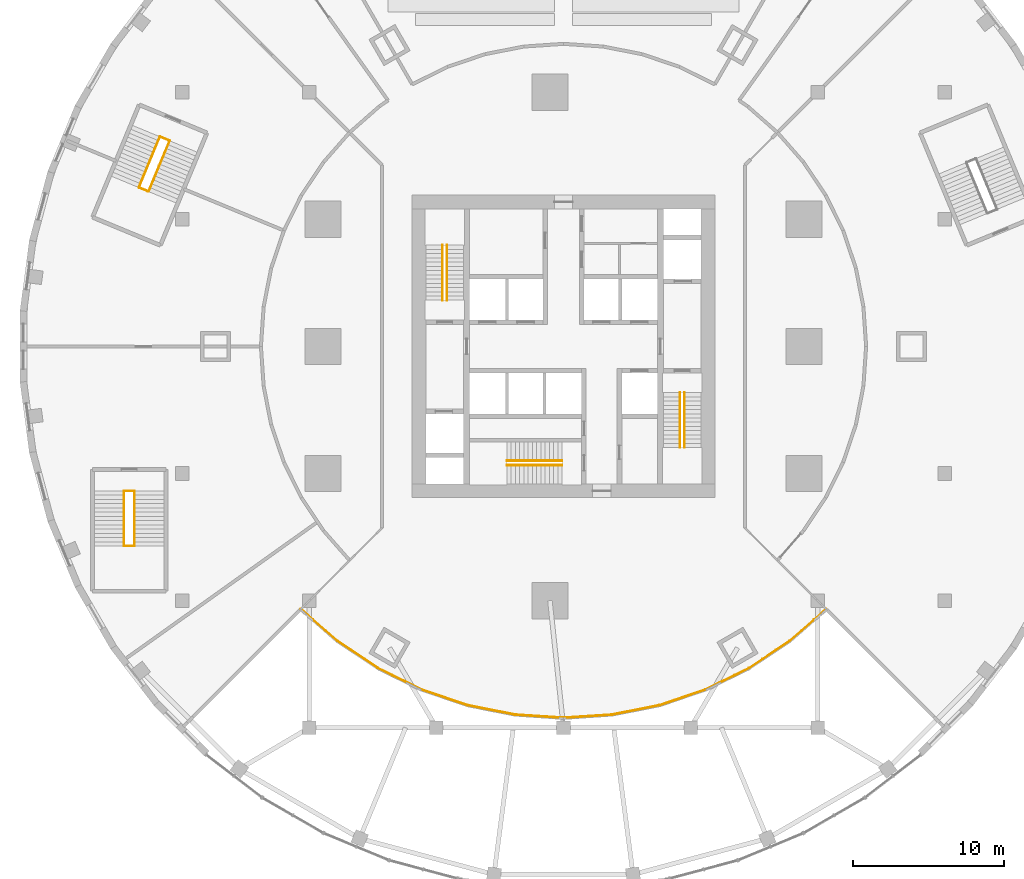
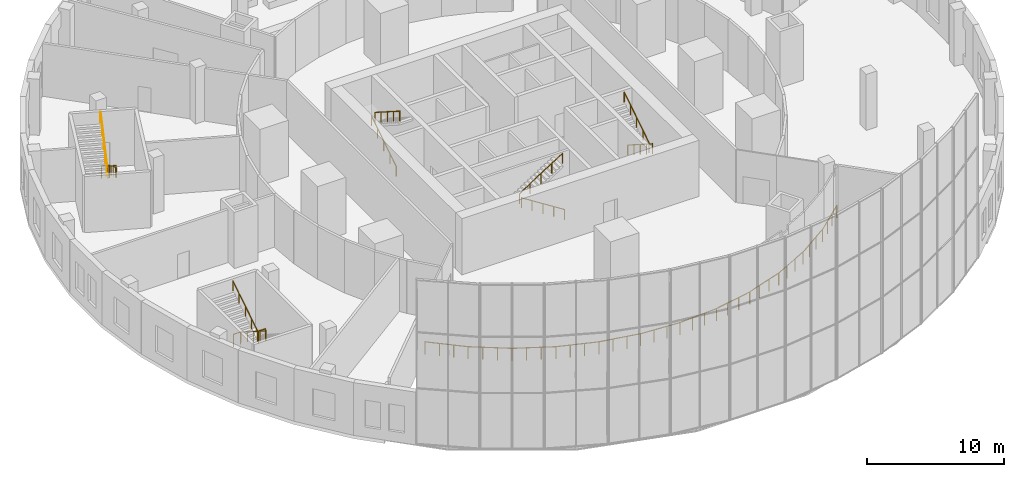
# One storey, part 14 of 17: 26 railings.
"""IFC4 building model written with IfcOpenShell, lengths in metres."""

from ifc_helpers import new_model, si_unit, direction, frame, origin, origin_2d, place, context, subcontext, project, spatial, circle, extrude, material, type_object, element, save


model = new_model("IFC4")

# Units and contexts
model_context = context("Model", 3, precision=1e-05, world=origin(), true_north=direction((0.0, 1.0)))
body_context = subcontext(model_context, "Body", "Model", "MODEL_VIEW")
ifc_project = project(units=[si_unit("LENGTHUNIT", "METRE"), si_unit("AREAUNIT", "SQUARE_METRE"), si_unit("VOLUMEUNIT", "CUBIC_METRE"), si_unit("PLANEANGLEUNIT", "RADIAN"), si_unit("MASSUNIT", "GRAM", prefix="KILO")], contexts=[model_context])

# Site, building, storey
site_placement = place(None, origin())
site = spatial("IfcSite", under=ifc_project, at=site_placement, CompositionType="ELEMENT")
building_placement = place(site_placement, origin())
building = spatial("IfcBuilding", under=site, at=building_placement, Name="Golbaran Civic Tower", CompositionType="ELEMENT")
storey_placement = place(building_placement, frame((0.0, 0.0, 6.0)))
storey = spatial("IfcBuildingStorey", under=building, at=storey_placement, Name="L01", CompositionType="ELEMENT", Elevation=6.0)

# Railings
ifc_material_1 = material(Name="Laminated glass, bronze rail", Category="glass")
railing_type_1 = type_object("IfcRailingType", Name="ATRIUM BALUSTRADE 1100", PredefinedType="GUARDRAIL", material=ifc_material_1)
railing_1_placement = place(storey_placement, frame((-17.359375, -17.359375, 0.0)))
element("IfcRailing", 1, at=railing_1_placement, inside=storey, type_object=railing_type_1, Name="Atrium balustrade L01 1", PredefinedType="GUARDRAIL", context=body_context, shape_type="SweptSolid", body=[
    extrude(circle(Radius=0.02392578125, at=origin_2d()), frame((0.0, 0.0, 1.076171875), z_axis=(0.751817957378, -0.659370729532, 0.0), x_axis=(0.659370729532, 0.751817957378, 0.0)), (0.0, 0.0, 1.0), 3.211181640625),
    extrude(circle(Radius=0.02099609375, at=origin_2d()), origin(), (0.0, 0.0, 1.0), 1.052001953125),
    extrude(circle(Radius=0.02099609375, at=origin_2d()), frame((0.8046875, -0.705810546875, 0.0)), (0.0, 0.0, 1.0), 1.052001953125),
    extrude(circle(Radius=0.02099609375, at=origin_2d()), frame((1.609619140625, -1.41162109375, 0.0)), (0.0, 0.0, 1.0), 1.052001953125),
    extrude(circle(Radius=0.02099609375, at=origin_2d()), frame((2.414306640625, -2.117431640625, 0.0)), (0.0, 0.0, 1.0), 1.052001953125),
])
railing_2_placement = place(storey_placement, frame((-14.945068359375, -19.476806640625, 0.0)))
element("IfcRailing", 2, at=railing_2_placement, inside=storey, type_object=railing_type_1, Name="Atrium balustrade L01 2", PredefinedType="GUARDRAIL", context=body_context, shape_type="SweptSolid", body=[
    extrude(circle(Radius=0.02392578125, at=origin_2d()), frame((0.0, 0.0, 1.076171875), z_axis=(0.831465038594, -0.555577077997, 0.0), x_axis=(0.555577077997, 0.831465038594, 0.0)), (0.0, 0.0, 1.0), 3.21142578125),
    extrude(circle(Radius=0.02099609375, at=origin_2d()), origin(), (0.0, 0.0, 1.0), 1.052001953125),
    extrude(circle(Radius=0.02099609375, at=origin_2d()), frame((0.89013671875, -0.5947265625, 0.0)), (0.0, 0.0, 1.0), 1.052001953125),
    extrude(circle(Radius=0.02099609375, at=origin_2d()), frame((1.780029296875, -1.189453125, 0.0)), (0.0, 0.0, 1.0), 1.052001953125),
    extrude(circle(Radius=0.02099609375, at=origin_2d()), frame((2.670166015625, -1.7841796875, 0.0)), (0.0, 0.0, 1.0), 1.052001953125),
])
railing_3_placement = place(storey_placement, frame((-12.27490234375, -21.260986328125, 0.0)))
element("IfcRailing", 3, at=railing_3_placement, inside=storey, type_object=railing_type_1, Name="Atrium balustrade L01 3", PredefinedType="GUARDRAIL", context=body_context, shape_type="SweptSolid", body=[
    extrude(circle(Radius=0.02392578125, at=origin_2d()), frame((0.0, 0.0, 1.076171875), z_axis=(0.896891939114, -0.442249759246, 0.0), x_axis=(0.442249759246, 0.896891939114, 0.0)), (0.0, 0.0, 1.0), 3.211181640625),
    extrude(circle(Radius=0.02099609375, at=origin_2d()), origin(), (0.0, 0.0, 1.0), 1.052001953125),
    extrude(circle(Radius=0.02099609375, at=origin_2d()), frame((0.9599609375, -0.473388671875, 0.0)), (0.0, 0.0, 1.0), 1.052001953125),
    extrude(circle(Radius=0.02099609375, at=origin_2d()), frame((1.920166015625, -0.94677734375, 0.0)), (0.0, 0.0, 1.0), 1.052001953125),
    extrude(circle(Radius=0.02099609375, at=origin_2d()), frame((2.880126953125, -1.420166015625, 0.0)), (0.0, 0.0, 1.0), 1.052001953125),
])
railing_4_placement = place(storey_placement, frame((-9.394775390625, -22.68115234375, 0.0)))
element("IfcRailing", 4, at=railing_4_placement, inside=storey, type_object=railing_type_1, Name="Atrium balustrade L01 4", PredefinedType="GUARDRAIL", context=body_context, shape_type="SweptSolid", body=[
    extrude(circle(Radius=0.02392578125, at=origin_2d()), frame((0.0, 0.0, 1.076171875), z_axis=(0.946927879989, -0.321446092059, 0.0), x_axis=(0.321446092059, 0.946927879989, 0.0)), (0.0, 0.0, 1.0), 3.211181640625),
    extrude(circle(Radius=0.02099609375, at=origin_2d()), origin(), (0.0, 0.0, 1.0), 1.052001953125),
    extrude(circle(Radius=0.02099609375, at=origin_2d()), frame((1.013671875, -0.343994140625, 0.0)), (0.0, 0.0, 1.0), 1.052001953125),
    extrude(circle(Radius=0.02099609375, at=origin_2d()), frame((2.027099609375, -0.688232421875, 0.0)), (0.0, 0.0, 1.0), 1.052001953125),
    extrude(circle(Radius=0.02099609375, at=origin_2d()), frame((3.040771484375, -1.0322265625, 0.0)), (0.0, 0.0, 1.0), 1.052001953125),
])
railing_5_placement = place(storey_placement, frame((-6.35400390625, -23.71337890625, 0.0)))
element("IfcRailing", 5, at=railing_5_placement, inside=storey, type_object=railing_type_1, Name="Atrium balustrade L01 5", PredefinedType="GUARDRAIL", context=body_context, shape_type="SweptSolid", body=[
    extrude(circle(Radius=0.02392578125, at=origin_2d()), frame((0.0, 0.0, 1.076171875), z_axis=(0.9807731825, -0.19515113243, 0.0), x_axis=(0.19515113243, 0.9807731825, 0.0)), (0.0, 0.0, 1.0), 3.21142578125),
    extrude(circle(Radius=0.02099609375, at=origin_2d()), origin(), (0.0, 0.0, 1.0), 1.052001953125),
    extrude(circle(Radius=0.02099609375, at=origin_2d()), frame((1.0498046875, -0.208984375, 0.0)), (0.0, 0.0, 1.0), 1.052001953125),
    extrude(circle(Radius=0.02099609375, at=origin_2d()), frame((2.099853515625, -0.417724609375, 0.0)), (0.0, 0.0, 1.0), 1.052001953125),
    extrude(circle(Radius=0.02099609375, at=origin_2d()), frame((3.149658203125, -0.626708984375, 0.0)), (0.0, 0.0, 1.0), 1.052001953125),
])
railing_6_placement = place(storey_placement, frame((-3.204345703125, -24.340087890625, 0.0)))
element("IfcRailing", 6, at=railing_6_placement, inside=storey, type_object=railing_type_1, Name="Atrium balustrade L01 6", PredefinedType="GUARDRAIL", context=body_context, shape_type="SweptSolid", body=[
    extrude(circle(Radius=0.02392578125, at=origin_2d()), frame((0.0, 0.0, 1.076171875), z_axis=(0.997860202938, -0.065383601869, 0.0), x_axis=(0.065383601869, 0.997860202938, 0.0)), (0.0, 0.0, 1.0), 3.211181640625),
    extrude(circle(Radius=0.02099609375, at=origin_2d()), origin(), (0.0, 0.0, 1.0), 1.052001953125),
    extrude(circle(Radius=0.02099609375, at=origin_2d()), frame((1.068115234375, -0.070068359375, 0.0)), (0.0, 0.0, 1.0), 1.052001953125),
    extrude(circle(Radius=0.02099609375, at=origin_2d()), frame((2.13623046875, -0.139892578125, 0.0)), (0.0, 0.0, 1.0), 1.052001953125),
    extrude(circle(Radius=0.02099609375, at=origin_2d()), frame((3.204345703125, -0.2099609375, 0.0)), (0.0, 0.0, 1.0), 1.052001953125),
])
railing_7_placement = place(storey_placement, frame((0.0, -24.550048828125, 0.0)))
element("IfcRailing", 7, at=railing_7_placement, inside=storey, type_object=railing_type_1, Name="Atrium balustrade L01 7", PredefinedType="GUARDRAIL", context=body_context, shape_type="SweptSolid", body=[
    extrude(circle(Radius=0.02392578125, at=origin_2d()), frame((0.0, 0.0, 1.076171875), z_axis=(0.997860202938, 0.065383601869, 0.0), x_axis=(-0.065383601869, 0.997860202938, 0.0)), (0.0, 0.0, 1.0), 3.211181640625),
    extrude(circle(Radius=0.02099609375, at=origin_2d()), origin(), (0.0, 0.0, 1.0), 1.052001953125),
    extrude(circle(Radius=0.02099609375, at=origin_2d()), frame((1.068115234375, 0.070068359375, 0.0)), (0.0, 0.0, 1.0), 1.052001953125),
    extrude(circle(Radius=0.02099609375, at=origin_2d()), frame((2.13623046875, 0.139892578125, 0.0)), (0.0, 0.0, 1.0), 1.052001953125),
    extrude(circle(Radius=0.02099609375, at=origin_2d()), frame((3.204345703125, 0.2099609375, 0.0)), (0.0, 0.0, 1.0), 1.052001953125),
])
railing_8_placement = place(storey_placement, frame((3.204345703125, -24.340087890625, 0.0)))
element("IfcRailing", 8, at=railing_8_placement, inside=storey, type_object=railing_type_1, Name="Atrium balustrade L01 8", PredefinedType="GUARDRAIL", context=body_context, shape_type="SweptSolid", body=[
    extrude(circle(Radius=0.02392578125, at=origin_2d()), frame((0.0, 0.0, 1.076171875), z_axis=(0.9807731825, 0.19515113243, 0.0), x_axis=(-0.19515113243, 0.9807731825, 0.0)), (0.0, 0.0, 1.0), 3.21142578125),
    extrude(circle(Radius=0.02099609375, at=origin_2d()), origin(), (0.0, 0.0, 1.0), 1.052001953125),
    extrude(circle(Radius=0.02099609375, at=origin_2d()), frame((1.0498046875, 0.208984375, 0.0)), (0.0, 0.0, 1.0), 1.052001953125),
    extrude(circle(Radius=0.02099609375, at=origin_2d()), frame((2.099853515625, 0.417724609375, 0.0)), (0.0, 0.0, 1.0), 1.052001953125),
    extrude(circle(Radius=0.02099609375, at=origin_2d()), frame((3.149658203125, 0.626708984375, 0.0)), (0.0, 0.0, 1.0), 1.052001953125),
])
railing_9_placement = place(storey_placement, frame((6.35400390625, -23.71337890625, 0.0)))
element("IfcRailing", 9, at=railing_9_placement, inside=storey, type_object=railing_type_1, Name="Atrium balustrade L01 9", PredefinedType="GUARDRAIL", context=body_context, shape_type="SweptSolid", body=[
    extrude(circle(Radius=0.02392578125, at=origin_2d()), frame((0.0, 0.0, 1.076171875), z_axis=(0.946927879989, 0.321446092059, 0.0), x_axis=(-0.321446092059, 0.946927879989, 0.0)), (0.0, 0.0, 1.0), 3.211181640625),
    extrude(circle(Radius=0.02099609375, at=origin_2d()), origin(), (0.0, 0.0, 1.0), 1.052001953125),
    extrude(circle(Radius=0.02099609375, at=origin_2d()), frame((1.013671875, 0.343994140625, 0.0)), (0.0, 0.0, 1.0), 1.052001953125),
    extrude(circle(Radius=0.02099609375, at=origin_2d()), frame((2.027099609375, 0.688232421875, 0.0)), (0.0, 0.0, 1.0), 1.052001953125),
    extrude(circle(Radius=0.02099609375, at=origin_2d()), frame((3.040771484375, 1.0322265625, 0.0)), (0.0, 0.0, 1.0), 1.052001953125),
])
railing_10_placement = place(storey_placement, frame((9.394775390625, -22.68115234375, 0.0)))
element("IfcRailing", 10, at=railing_10_placement, inside=storey, type_object=railing_type_1, Name="Atrium balustrade L01 10", PredefinedType="GUARDRAIL", context=body_context, shape_type="SweptSolid", body=[
    extrude(circle(Radius=0.02392578125, at=origin_2d()), frame((0.0, 0.0, 1.076171875), z_axis=(0.896891939114, 0.442249759246, 0.0), x_axis=(-0.442249759246, 0.896891939114, 0.0)), (0.0, 0.0, 1.0), 3.211181640625),
    extrude(circle(Radius=0.02099609375, at=origin_2d()), origin(), (0.0, 0.0, 1.0), 1.052001953125),
    extrude(circle(Radius=0.02099609375, at=origin_2d()), frame((0.9599609375, 0.473388671875, 0.0)), (0.0, 0.0, 1.0), 1.052001953125),
    extrude(circle(Radius=0.02099609375, at=origin_2d()), frame((1.920166015625, 0.94677734375, 0.0)), (0.0, 0.0, 1.0), 1.052001953125),
    extrude(circle(Radius=0.02099609375, at=origin_2d()), frame((2.880126953125, 1.420166015625, 0.0)), (0.0, 0.0, 1.0), 1.052001953125),
])
railing_11_placement = place(storey_placement, frame((12.27490234375, -21.260986328125, 0.0)))
element("IfcRailing", 11, at=railing_11_placement, inside=storey, type_object=railing_type_1, Name="Atrium balustrade L01 11", PredefinedType="GUARDRAIL", context=body_context, shape_type="SweptSolid", body=[
    extrude(circle(Radius=0.02392578125, at=origin_2d()), frame((0.0, 0.0, 1.076171875), z_axis=(0.831465038594, 0.555577077997, 0.0), x_axis=(-0.555577077997, 0.831465038594, 0.0)), (0.0, 0.0, 1.0), 3.21142578125),
    extrude(circle(Radius=0.02099609375, at=origin_2d()), origin(), (0.0, 0.0, 1.0), 1.052001953125),
    extrude(circle(Radius=0.02099609375, at=origin_2d()), frame((0.89013671875, 0.5947265625, 0.0)), (0.0, 0.0, 1.0), 1.052001953125),
    extrude(circle(Radius=0.02099609375, at=origin_2d()), frame((1.780029296875, 1.189453125, 0.0)), (0.0, 0.0, 1.0), 1.052001953125),
    extrude(circle(Radius=0.02099609375, at=origin_2d()), frame((2.670166015625, 1.7841796875, 0.0)), (0.0, 0.0, 1.0), 1.052001953125),
])
railing_12_placement = place(storey_placement, frame((14.945068359375, -19.476806640625, 0.0)))
element("IfcRailing", 12, at=railing_12_placement, inside=storey, type_object=railing_type_1, Name="Atrium balustrade L01 12", PredefinedType="GUARDRAIL", context=body_context, shape_type="SweptSolid", body=[
    extrude(circle(Radius=0.02392578125, at=origin_2d()), frame((0.0, 0.0, 1.076171875), z_axis=(0.751817957378, 0.659370729532, 0.0), x_axis=(-0.659370729532, 0.751817957378, 0.0)), (0.0, 0.0, 1.0), 3.211181640625),
    extrude(circle(Radius=0.02099609375, at=origin_2d()), origin(), (0.0, 0.0, 1.0), 1.052001953125),
    extrude(circle(Radius=0.02099609375, at=origin_2d()), frame((0.8046875, 0.705810546875, 0.0)), (0.0, 0.0, 1.0), 1.052001953125),
    extrude(circle(Radius=0.02099609375, at=origin_2d()), frame((1.609619140625, 1.41162109375, 0.0)), (0.0, 0.0, 1.0), 1.052001953125),
    extrude(circle(Radius=0.02099609375, at=origin_2d()), frame((2.414306640625, 2.117431640625, 0.0)), (0.0, 0.0, 1.0), 1.052001953125),
])
ifc_material_2 = material(Name="Steel balustrade", Category="steel")
railing_type_2 = type_object("IfcRailingType", Name="STAIR GUARD 1100", PredefinedType="GUARDRAIL", material=ifc_material_2)
railing_13_placement = place(storey_placement, frame((-26.07470703125, 13.61474609375, 0.0)))
element("IfcRailing", 13, at=railing_13_placement, inside=storey, type_object=railing_type_2, Name="Stair P2 well guard floor landing L01", PredefinedType="GUARDRAIL", context=body_context, shape_type="SweptSolid", body=[
    extrude(circle(Radius=0.02392578125, at=origin_2d()), frame((0.0, 0.0, 1.076171875), z_axis=(-0.923917630863, 0.382591441855, 0.0), x_axis=(-0.382591441855, -0.923917630863, 0.0)), (0.0, 0.0, 1.0), 0.599853515625),
    extrude(circle(Radius=0.02099609375, at=origin_2d()), origin(), (0.0, 0.0, 1.0), 1.052001953125),
    extrude(circle(Radius=0.02099609375, at=origin_2d()), frame((-0.55419921875, 0.2294921875, 0.0)), (0.0, 0.0, 1.0), 1.052001953125),
])
railing_14_placement = place(storey_placement, frame((-27.4677734375, 10.251708984375, 2.5)))
element("IfcRailing", 14, at=railing_14_placement, inside=storey, type_object=railing_type_2, Name="Stair P2 well guard half landing L01", PredefinedType="GUARDRAIL", context=body_context, shape_type="SweptSolid", body=[
    extrude(circle(Radius=0.02392578125, at=origin_2d()), frame((0.0, 0.0, 1.076171875), z_axis=(-0.923773716093, 0.382938795966, 0.0), x_axis=(-0.382938795966, -0.923773716093, 0.0)), (0.0, 0.0, 1.0), 0.599853515625),
    extrude(circle(Radius=0.02099609375, at=origin_2d()), origin(), (0.0, 0.0, 1.0), 1.052001953125),
    extrude(circle(Radius=0.02099609375, at=origin_2d()), frame((-0.55419921875, 0.229736328125, 0.0)), (0.0, 0.0, 1.0), 1.052001953125),
])
for number, where, name in (
    (15, (-28.39990234375, -9.550048828125, 0.0), "Stair P3 well guard floor landing L01"),
    (16, (-28.39990234375, -13.18994140625, 2.5), "Stair P3 well guard half landing L01"),
):
    element("IfcRailing", number, at=place(storey_placement, frame(where)), inside=storey, type_object=railing_type_2, Name=name, PredefinedType="GUARDRAIL", context=body_context, shape_type="SweptSolid", body=[
        extrude(circle(Radius=0.02392578125, at=origin_2d()), frame((0.0, 0.0, 1.076171875), z_axis=(-1.0, 0.0, 0.0), x_axis=(0.0, -1.0, 0.0)), (0.0, 0.0, 1.0), 0.60009765625),
        extrude(circle(Radius=0.02099609375, at=origin_2d()), origin(), (0.0, 0.0, 1.0), 1.052001953125),
        extrude(circle(Radius=0.02099609375, at=origin_2d()), frame((-0.60009765625, 0.0, 0.0)), (0.0, 0.0, 1.0), 1.052001953125),
    ])
ifc_material_3 = material(Name="Stainless steel", Category="steel")
railing_type_3 = type_object("IfcRailingType", Name="STAIR HANDRAIL 900", PredefinedType="HANDRAIL", material=ifc_material_3)
railing_15_placement = place(storey_placement, frame((-8.0, 3.050048828125, 0.178466796875)))
element("IfcRailing", 17, at=railing_15_placement, inside=storey, type_object=railing_type_3, Name="Stair S1 handrail flight 1 L01", PredefinedType="HANDRAIL", context=body_context, shape_type="SweptSolid", body=[
    extrude(circle(Radius=0.02392578125, at=origin_2d()), frame((0.0, 0.0, 0.8759765625), z_axis=(0.0, 0.843111507901, 0.53773877045), x_axis=(-1.0, 0.0, 0.0)), (0.0, 0.0, 1.0), 4.317138671875),
    extrude(circle(Radius=0.02099609375, at=origin_2d()), origin(), (0.0, 0.0, 1.0), 0.851806640625),
    extrude(circle(Radius=0.02099609375, at=origin_2d()), frame((0.0, 0.909912109375, 0.580322265625)), (0.0, 0.0, 1.0), 0.851806640625),
    extrude(circle(Radius=0.02099609375, at=origin_2d()), frame((0.0, 1.81982421875, 1.16064453125)), (0.0, 0.0, 1.0), 0.851806640625),
    extrude(circle(Radius=0.02099609375, at=origin_2d()), frame((0.0, 2.72998046875, 1.7412109375)), (0.0, 0.0, 1.0), 0.851806640625),
    extrude(circle(Radius=0.02099609375, at=origin_2d()), frame((0.0, 3.639892578125, 2.321533203125)), (0.0, 0.0, 1.0), 0.851806640625),
])
for number, where, name in (
    (18, (-7.699951171875, 6.68994140625, 2.678466796875), "Stair S1 handrail flight 2 L01"),
    (19, (8.0, -3.050048828125, 0.178466796875), "Stair S2 handrail flight 1 L01"),
):
    element("IfcRailing", number, at=place(storey_placement, frame(where)), inside=storey, type_object=railing_type_3, Name=name, PredefinedType="HANDRAIL", context=body_context, shape_type="SweptSolid", body=[
        extrude(circle(Radius=0.02392578125, at=origin_2d()), frame((0.0, 0.0, 0.8759765625), z_axis=(0.0, -0.843111507901, 0.53773877045), x_axis=(1.0, 0.0, 0.0)), (0.0, 0.0, 1.0), 4.317138671875),
        extrude(circle(Radius=0.02099609375, at=origin_2d()), origin(), (0.0, 0.0, 1.0), 0.851806640625),
        extrude(circle(Radius=0.02099609375, at=origin_2d()), frame((0.0, -0.909912109375, 0.580322265625)), (0.0, 0.0, 1.0), 0.851806640625),
        extrude(circle(Radius=0.02099609375, at=origin_2d()), frame((0.0, -1.81982421875, 1.16064453125)), (0.0, 0.0, 1.0), 0.851806640625),
        extrude(circle(Radius=0.02099609375, at=origin_2d()), frame((0.0, -2.72998046875, 1.7412109375)), (0.0, 0.0, 1.0), 0.851806640625),
        extrude(circle(Radius=0.02099609375, at=origin_2d()), frame((0.0, -3.639892578125, 2.321533203125)), (0.0, 0.0, 1.0), 0.851806640625),
    ])
railing_16_placement = place(storey_placement, frame((7.699951171875, -6.68994140625, 2.678466796875)))
element("IfcRailing", 20, at=railing_16_placement, inside=storey, type_object=railing_type_3, Name="Stair S2 handrail flight 2 L01", PredefinedType="HANDRAIL", context=body_context, shape_type="SweptSolid", body=[
    extrude(circle(Radius=0.02392578125, at=origin_2d()), frame((0.0, 0.0, 0.8759765625), z_axis=(0.0, 0.843111507901, 0.53773877045), x_axis=(-1.0, 0.0, 0.0)), (0.0, 0.0, 1.0), 4.317138671875),
    extrude(circle(Radius=0.02099609375, at=origin_2d()), origin(), (0.0, 0.0, 1.0), 0.851806640625),
    extrude(circle(Radius=0.02099609375, at=origin_2d()), frame((0.0, 0.909912109375, 0.580322265625)), (0.0, 0.0, 1.0), 0.851806640625),
    extrude(circle(Radius=0.02099609375, at=origin_2d()), frame((0.0, 1.81982421875, 1.16064453125)), (0.0, 0.0, 1.0), 0.851806640625),
    extrude(circle(Radius=0.02099609375, at=origin_2d()), frame((0.0, 2.72998046875, 1.7412109375)), (0.0, 0.0, 1.0), 0.851806640625),
    extrude(circle(Radius=0.02099609375, at=origin_2d()), frame((0.0, 3.639892578125, 2.321533203125)), (0.0, 0.0, 1.0), 0.851806640625),
])
railing_17_placement = place(storey_placement, frame((-0.10009765625, -7.85009765625, 0.178466796875)))
element("IfcRailing", 21, at=railing_17_placement, inside=storey, type_object=railing_type_3, Name="Stair S3 handrail flight 1 L01", PredefinedType="HANDRAIL", context=body_context, shape_type="SweptSolid", body=[
    extrude(circle(Radius=0.02392578125, at=origin_2d()), frame((0.0, 0.0, 0.8759765625), z_axis=(-0.843111507901, 0.0, 0.53773877045), x_axis=(0.0, -1.0, 0.0)), (0.0, 0.0, 1.0), 4.317138671875),
    extrude(circle(Radius=0.02099609375, at=origin_2d()), origin(), (0.0, 0.0, 1.0), 0.851806640625),
    extrude(circle(Radius=0.02099609375, at=origin_2d()), frame((-0.909912109375, 0.0, 0.580322265625)), (0.0, 0.0, 1.0), 0.851806640625),
    extrude(circle(Radius=0.02099609375, at=origin_2d()), frame((-1.81982421875, 0.0, 1.16064453125)), (0.0, 0.0, 1.0), 0.851806640625),
    extrude(circle(Radius=0.02099609375, at=origin_2d()), frame((-2.72998046875, 0.0, 1.7412109375)), (0.0, 0.0, 1.0), 0.851806640625),
    extrude(circle(Radius=0.02099609375, at=origin_2d()), frame((-3.639892578125, 0.0, 2.321533203125)), (0.0, 0.0, 1.0), 0.851806640625),
])
railing_18_placement = place(storey_placement, frame((-3.739990234375, -7.550048828125, 2.678466796875)))
element("IfcRailing", 22, at=railing_18_placement, inside=storey, type_object=railing_type_3, Name="Stair S3 handrail flight 2 L01", PredefinedType="HANDRAIL", context=body_context, shape_type="SweptSolid", body=[
    extrude(circle(Radius=0.02392578125, at=origin_2d()), frame((0.0, 0.0, 0.8759765625), z_axis=(0.843111507901, 0.0, 0.53773877045), x_axis=(0.0, 1.0, 0.0)), (0.0, 0.0, 1.0), 4.317138671875),
    extrude(circle(Radius=0.02099609375, at=origin_2d()), origin(), (0.0, 0.0, 1.0), 0.851806640625),
    extrude(circle(Radius=0.02099609375, at=origin_2d()), frame((0.909912109375, 0.0, 0.580322265625)), (0.0, 0.0, 1.0), 0.851806640625),
    extrude(circle(Radius=0.02099609375, at=origin_2d()), frame((1.81982421875, 0.0, 1.16064453125)), (0.0, 0.0, 1.0), 0.851806640625),
    extrude(circle(Radius=0.02099609375, at=origin_2d()), frame((2.72998046875, 0.0, 1.7412109375)), (0.0, 0.0, 1.0), 0.851806640625),
    extrude(circle(Radius=0.02099609375, at=origin_2d()), frame((3.639892578125, 0.0, 2.321533203125)), (0.0, 0.0, 1.0), 0.851806640625),
])
railing_19_placement = place(storey_placement, frame((-26.028564453125, 13.595458984375, 0.178466796875)))
element("IfcRailing", 23, at=railing_19_placement, inside=storey, type_object=railing_type_3, Name="Stair P2 handrail flight 1 L01", PredefinedType="HANDRAIL", context=body_context, shape_type="SweptSolid", body=[
    extrude(circle(Radius=0.02392578125, at=origin_2d()), frame((0.0, 0.0, 0.8759765625), z_axis=(-0.322624861917, -0.778936870822, 0.537745804026), x_axis=(0.923888487057, -0.382661813464, 0.0)), (0.0, 0.0, 1.0), 4.317138671875),
    extrude(circle(Radius=0.02099609375, at=origin_2d()), origin(), (0.0, 0.0, 1.0), 0.851806640625),
    extrude(circle(Radius=0.02099609375, at=origin_2d()), frame((-0.34814453125, -0.8408203125, 0.580322265625)), (0.0, 0.0, 1.0), 0.851806640625),
    extrude(circle(Radius=0.02099609375, at=origin_2d()), frame((-0.6962890625, -1.681396484375, 1.16064453125)), (0.0, 0.0, 1.0), 0.851806640625),
    extrude(circle(Radius=0.02099609375, at=origin_2d()), frame((-1.044677734375, -2.52197265625, 1.7412109375)), (0.0, 0.0, 1.0), 0.851806640625),
    extrude(circle(Radius=0.02099609375, at=origin_2d()), frame((-1.392822265625, -3.36279296875, 2.321533203125)), (0.0, 0.0, 1.0), 0.851806640625),
])
railing_20_placement = place(storey_placement, frame((-28.068115234375, 10.50048828125, 2.678466796875)))
element("IfcRailing", 24, at=railing_20_placement, inside=storey, type_object=railing_type_3, Name="Stair P2 handrail flight 2 L01", PredefinedType="HANDRAIL", context=body_context, shape_type="SweptSolid", body=[
    extrude(circle(Radius=0.02392578125, at=origin_2d()), frame((0.0, 0.0, 0.8759765625), z_axis=(0.322610650763, 0.778959108546, 0.537722117108), x_axis=(-0.923898307913, 0.38263810139, 0.0)), (0.0, 0.0, 1.0), 4.3173828125),
    extrude(circle(Radius=0.02099609375, at=origin_2d()), origin(), (0.0, 0.0, 1.0), 0.851806640625),
    extrude(circle(Radius=0.02099609375, at=origin_2d()), frame((0.34814453125, 0.8408203125, 0.580322265625)), (0.0, 0.0, 1.0), 0.851806640625),
    extrude(circle(Radius=0.02099609375, at=origin_2d()), frame((0.6962890625, 1.681640625, 1.16064453125)), (0.0, 0.0, 1.0), 0.851806640625),
    extrude(circle(Radius=0.02099609375, at=origin_2d()), frame((1.044677734375, 2.522216796875, 1.7412109375)), (0.0, 0.0, 1.0), 0.851806640625),
    extrude(circle(Radius=0.02099609375, at=origin_2d()), frame((1.392822265625, 3.363037109375, 2.321533203125)), (0.0, 0.0, 1.0), 0.851806640625),
])
railing_21_placement = place(storey_placement, frame((-28.35009765625, -9.550048828125, 0.178466796875)))
element("IfcRailing", 25, at=railing_21_placement, inside=storey, type_object=railing_type_3, Name="Stair P3 handrail flight 1 L01", PredefinedType="HANDRAIL", context=body_context, shape_type="SweptSolid", body=[
    extrude(circle(Radius=0.02392578125, at=origin_2d()), frame((0.0, 0.0, 0.8759765625), z_axis=(0.0, -0.843111507901, 0.53773877045), x_axis=(1.0, 0.0, 0.0)), (0.0, 0.0, 1.0), 4.317138671875),
    extrude(circle(Radius=0.02099609375, at=origin_2d()), origin(), (0.0, 0.0, 1.0), 0.851806640625),
    extrude(circle(Radius=0.02099609375, at=origin_2d()), frame((0.0, -0.909912109375, 0.580322265625)), (0.0, 0.0, 1.0), 0.851806640625),
    extrude(circle(Radius=0.02099609375, at=origin_2d()), frame((0.0, -1.81982421875, 1.16064453125)), (0.0, 0.0, 1.0), 0.851806640625),
    extrude(circle(Radius=0.02099609375, at=origin_2d()), frame((0.0, -2.72998046875, 1.7412109375)), (0.0, 0.0, 1.0), 0.851806640625),
    extrude(circle(Radius=0.02099609375, at=origin_2d()), frame((0.0, -3.639892578125, 2.321533203125)), (0.0, 0.0, 1.0), 0.851806640625),
])
railing_22_placement = place(storey_placement, frame((-29.050048828125, -13.18994140625, 2.678466796875)))
element("IfcRailing", 26, at=railing_22_placement, inside=storey, type_object=railing_type_3, Name="Stair P3 handrail flight 2 L01", PredefinedType="HANDRAIL", context=body_context, shape_type="SweptSolid", body=[
    extrude(circle(Radius=0.02392578125, at=origin_2d()), frame((0.0, 0.0, 0.8759765625), z_axis=(0.0, 0.843111507901, 0.53773877045), x_axis=(-1.0, 0.0, 0.0)), (0.0, 0.0, 1.0), 4.317138671875),
    extrude(circle(Radius=0.02099609375, at=origin_2d()), origin(), (0.0, 0.0, 1.0), 0.851806640625),
    extrude(circle(Radius=0.02099609375, at=origin_2d()), frame((0.0, 0.909912109375, 0.580322265625)), (0.0, 0.0, 1.0), 0.851806640625),
    extrude(circle(Radius=0.02099609375, at=origin_2d()), frame((0.0, 1.81982421875, 1.16064453125)), (0.0, 0.0, 1.0), 0.851806640625),
    extrude(circle(Radius=0.02099609375, at=origin_2d()), frame((0.0, 2.72998046875, 1.7412109375)), (0.0, 0.0, 1.0), 0.851806640625),
    extrude(circle(Radius=0.02099609375, at=origin_2d()), frame((0.0, 3.639892578125, 2.321533203125)), (0.0, 0.0, 1.0), 0.851806640625),
])

save(model, "model.ifc")
